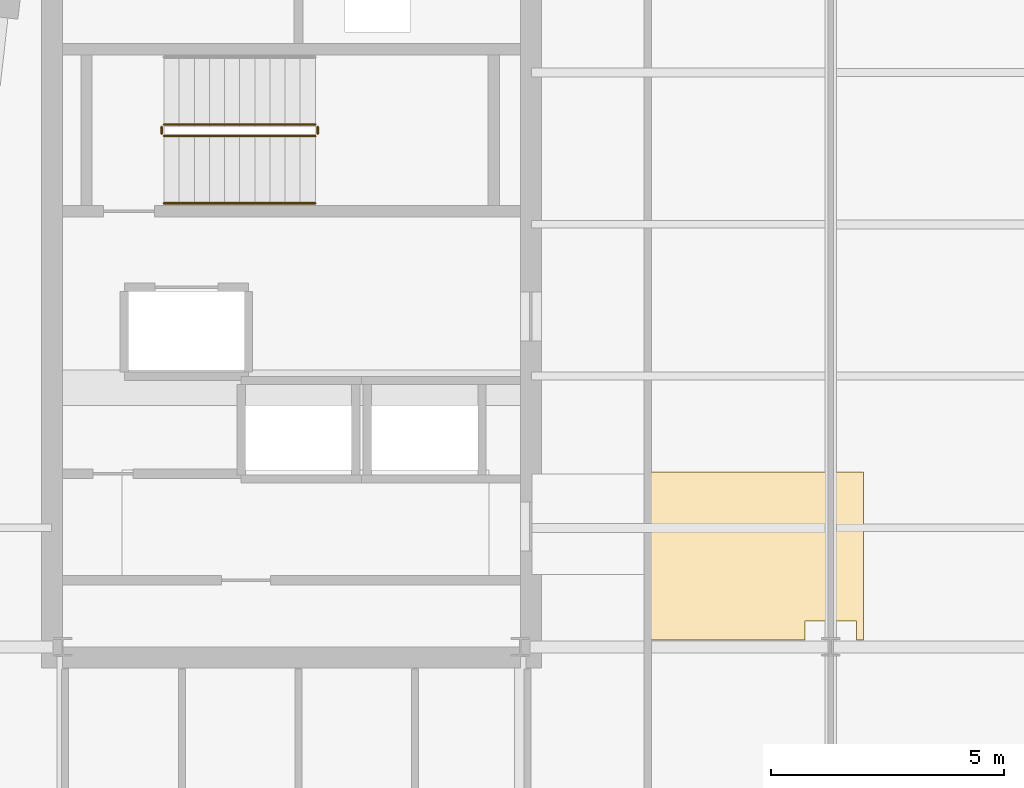
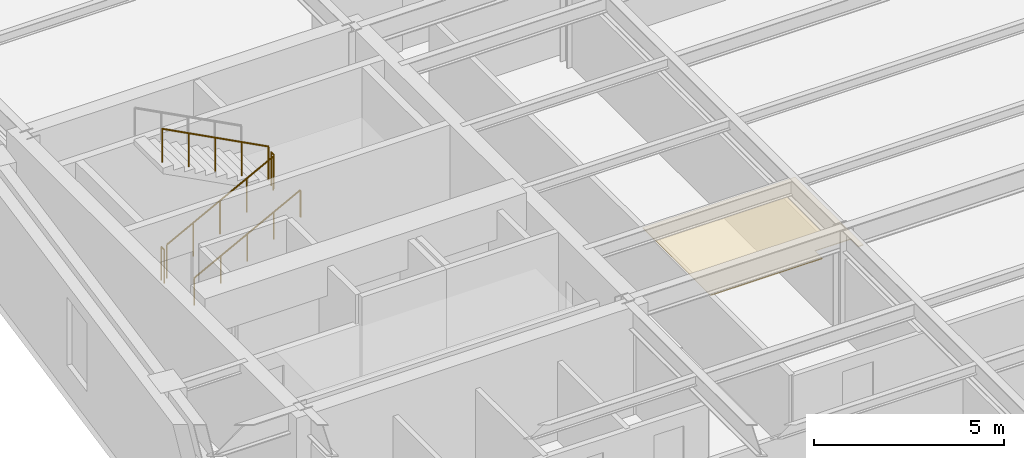
# One storey, part 11 of 14: 5 railings, 1 covering.
"""IFC4 building model written with IfcOpenShell, lengths in metres."""

from ifc_helpers import new_model, si_unit, direction, frame, origin, origin_2d, place, context, subcontext, project, spatial, polyline, circle, outline, extrude, material, layer, layer_set, type_object, element, save


model = new_model("IFC4")

# Units and contexts
model_context = context("Model", 3, precision=1e-05, world=origin(), true_north=direction((0.0, 1.0)))
body_context = subcontext(model_context, "Body", "Model", "MODEL_VIEW")
ifc_project = project(units=[si_unit("LENGTHUNIT", "METRE"), si_unit("AREAUNIT", "SQUARE_METRE"), si_unit("VOLUMEUNIT", "CUBIC_METRE"), si_unit("PLANEANGLEUNIT", "RADIAN"), si_unit("MASSUNIT", "GRAM", prefix="KILO")], contexts=[model_context])

# Site, building, storey
site_placement = place(None, origin())
site = spatial("IfcSite", under=ifc_project, at=site_placement, CompositionType="ELEMENT")
building_placement = place(site_placement, origin())
building = spatial("IfcBuilding", under=site, at=building_placement, Name="Kolvaren Arena Tower", CompositionType="ELEMENT")
storey_placement = place(building_placement, frame((0.0, 0.0, 235.949951171875)))
storey = spatial("IfcBuildingStorey", under=building, at=storey_placement, Name="L57", CompositionType="ELEMENT", Elevation=235.949951171875)

# Covering
ifc_material_1 = material(Name="Mineral fibre acoustic ceiling tile", Category="gypsum")
ifc_layer = layer(ifc_material_1, 0.02490234375)
ifc_layer_set = layer_set([ifc_layer], Name="Mineral fibre acoustic ceiling tile")
covering_type = type_object("IfcCoveringType", Name="CEIL-ACT-1", PredefinedType="CEILING", material=ifc_layer_set)
covering_placement = place(storey_placement, frame((0.0, 0.0, 2.52001953125)))
element("IfcCovering", 1, at=covering_placement, inside=storey, type_object=covering_type, Name="Suspended Ceiling (L57)", PredefinedType="CEILING", context=body_context, shape_type="SweptSolid", body=[
    extrude(outline(polyline([(27.050048828125, 19.60009765625), (27.050048828125, 23.199951171875), (31.699951171875, 23.199951171875), (31.699951171875, 19.60009765625), (31.550048828125, 19.60009765625), (31.550048828125, 20.0), (30.449951171875, 20.0), (30.449951171875, 19.60009765625), (27.050048828125, 19.60009765625)])), origin(), (0.0, 0.0, 1.0), 0.025146484375),
])

# Railings
ifc_material_2 = material(Name="Painted galvanized steel", Category="steel")
railing_type_1 = type_object("IfcRailingType", Name="GUARD-ST-110", PredefinedType="GUARDRAIL", material=ifc_material_2)
railing_1_placement = place(storey_placement, frame((16.719970703125, 30.389892578125, 0.17041015625)))
element("IfcRailing", 2, at=railing_1_placement, inside=storey, type_object=railing_type_1, Name="L57 ST-W1 stair guard 1", PredefinedType="GUARDRAIL", context=body_context, shape_type="SweptSolid", body=[
    extrude(circle(Radius=0.02392578125, at=origin_2d()), frame((0.0, 0.0, 1.076171875), z_axis=(0.884993431791, 0.0, 0.465603506952), x_axis=(0.0, 1.0, 0.0)), (0.0, 0.0, 1.0), 3.6611328125),
    extrude(circle(Radius=0.02099609375, at=origin_2d()), origin(), (0.0, 0.0, 1.0), 1.052001953125),
    extrude(circle(Radius=0.02099609375, at=origin_2d()), frame((0.81005859375, 0.0, 0.42626953125)), (0.0, 0.0, 1.0), 1.052001953125),
    extrude(circle(Radius=0.02099609375, at=origin_2d()), frame((1.6201171875, 0.0, 0.852294921875)), (0.0, 0.0, 1.0), 1.052001953125),
    extrude(circle(Radius=0.02099609375, at=origin_2d()), frame((2.429931640625, 0.0, 1.2783203125)), (0.0, 0.0, 1.0), 1.052001953125),
    extrude(circle(Radius=0.02099609375, at=origin_2d()), frame((3.239990234375, 0.0, 1.70458984375)), (0.0, 0.0, 1.0), 1.052001953125),
])
railing_2_placement = place(storey_placement, frame((20.010009765625, 30.43994140625, 1.875)))
element("IfcRailing", 3, at=railing_2_placement, inside=storey, type_object=railing_type_1, Name="L57 ST-W1 stair guard 2", PredefinedType="GUARDRAIL", context=body_context, shape_type="SweptSolid", body=[
    extrude(circle(Radius=0.02392578125, at=origin_2d()), frame((0.0, 0.0, 1.076171875), z_axis=(0.0, 1.0, 0.0), x_axis=(-1.0, 0.0, 0.0)), (0.0, 0.0, 1.0), 0.150146484375),
    extrude(circle(Radius=0.02099609375, at=origin_2d()), origin(), (0.0, 0.0, 1.0), 1.052001953125),
    extrude(circle(Radius=0.02099609375, at=origin_2d()), frame((0.0, 0.150146484375, 0.0)), (0.0, 0.0, 1.0), 1.052001953125),
])
railing_3_placement = place(storey_placement, frame((19.9599609375, 30.639892578125, 2.04541015625)))
element("IfcRailing", 4, at=railing_3_placement, inside=storey, type_object=railing_type_1, Name="L57 ST-W1 stair guard 3", PredefinedType="GUARDRAIL", context=body_context, shape_type="SweptSolid", body=[
    extrude(circle(Radius=0.02392578125, at=origin_2d()), frame((0.0, 0.0, 1.076171875), z_axis=(-0.884993431791, 0.0, 0.465603506952), x_axis=(0.0, -1.0, 0.0)), (0.0, 0.0, 1.0), 3.6611328125),
    extrude(circle(Radius=0.02099609375, at=origin_2d()), origin(), (0.0, 0.0, 1.0), 1.052001953125),
    extrude(circle(Radius=0.02099609375, at=origin_2d()), frame((-0.81005859375, 0.0, 0.42626953125)), (0.0, 0.0, 1.0), 1.052001953125),
    extrude(circle(Radius=0.02099609375, at=origin_2d()), frame((-1.6201171875, 0.0, 0.852294921875)), (0.0, 0.0, 1.0), 1.052001953125),
    extrude(circle(Radius=0.02099609375, at=origin_2d()), frame((-2.429931640625, 0.0, 1.2783203125)), (0.0, 0.0, 1.0), 1.052001953125),
    extrude(circle(Radius=0.02099609375, at=origin_2d()), frame((-3.239990234375, 0.0, 1.70458984375)), (0.0, 0.0, 1.0), 1.052001953125),
])
railing_4_placement = place(storey_placement, frame((16.669921875, 30.43994140625, 0.0)))
element("IfcRailing", 5, at=railing_4_placement, inside=storey, type_object=railing_type_1, Name="L57 ST-W1 stair guard 4", PredefinedType="GUARDRAIL", context=body_context, shape_type="SweptSolid", body=[
    extrude(circle(Radius=0.02392578125, at=origin_2d()), frame((0.0, 0.0, 1.076171875), z_axis=(0.0, 1.0, 0.0), x_axis=(-1.0, 0.0, 0.0)), (0.0, 0.0, 1.0), 0.150146484375),
    extrude(circle(Radius=0.02099609375, at=origin_2d()), origin(), (0.0, 0.0, 1.0), 1.052001953125),
    extrude(circle(Radius=0.02099609375, at=origin_2d()), frame((0.0, 0.150146484375, 0.0)), (0.0, 0.0, 1.0), 1.052001953125),
])
ifc_material_3 = material(Name="Brushed stainless steel handrail", Category="steel")
railing_type_2 = type_object("IfcRailingType", Name="HRAIL-900", PredefinedType="HANDRAIL", material=ifc_material_3)
railing_5_placement = place(storey_placement, frame((16.719970703125, 28.949951171875, 0.17041015625)))
element("IfcRailing", 6, at=railing_5_placement, inside=storey, type_object=railing_type_2, Name="L57 ST-W1 stair handrail 1", PredefinedType="HANDRAIL", context=body_context, shape_type="SweptSolid", body=[
    extrude(circle(Radius=0.02392578125, at=origin_2d()), frame((0.0, 0.0, 0.8759765625), z_axis=(0.884993431791, 0.0, 0.465603506952), x_axis=(0.0, 1.0, 0.0)), (0.0, 0.0, 1.0), 3.6611328125),
    extrude(circle(Radius=0.02099609375, at=origin_2d()), origin(), (0.0, 0.0, 1.0), 0.851806640625),
    extrude(circle(Radius=0.02099609375, at=origin_2d()), frame((0.81005859375, 0.0, 0.42626953125)), (0.0, 0.0, 1.0), 0.851806640625),
    extrude(circle(Radius=0.02099609375, at=origin_2d()), frame((1.6201171875, 0.0, 0.852294921875)), (0.0, 0.0, 1.0), 0.851806640625),
    extrude(circle(Radius=0.02099609375, at=origin_2d()), frame((2.429931640625, 0.0, 1.2783203125)), (0.0, 0.0, 1.0), 0.851806640625),
    extrude(circle(Radius=0.02099609375, at=origin_2d()), frame((3.239990234375, 0.0, 1.70458984375)), (0.0, 0.0, 1.0), 0.851806640625),
])

save(model, "model.ifc")
